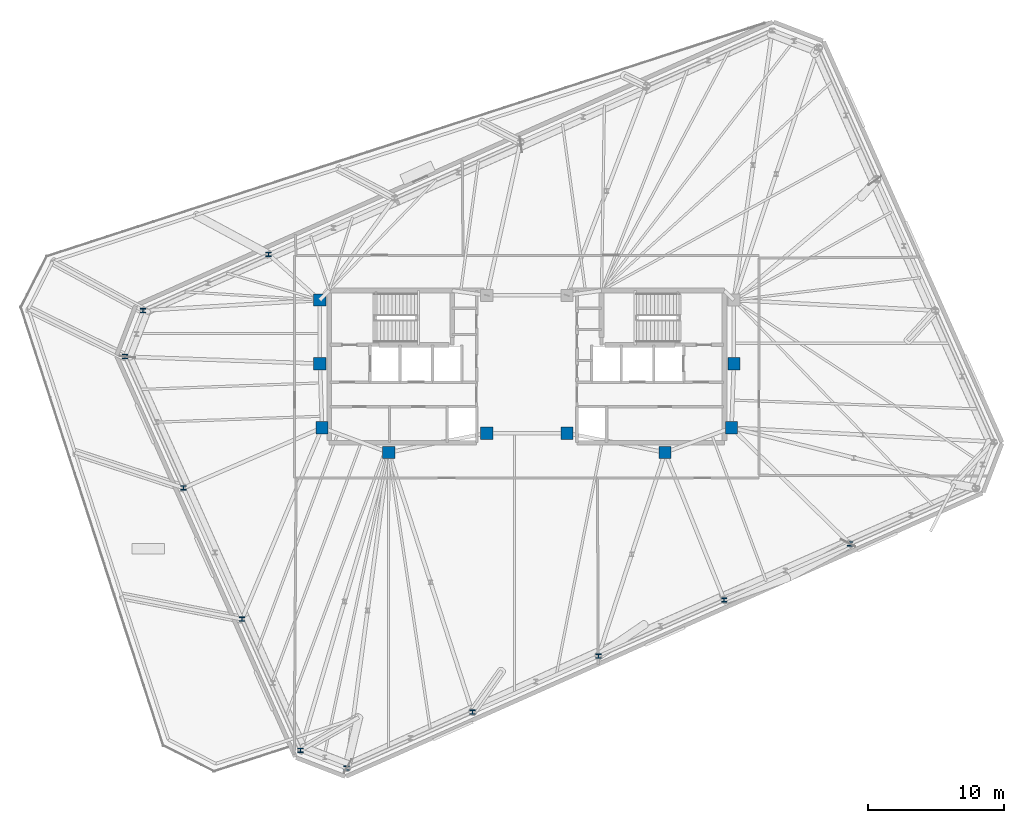
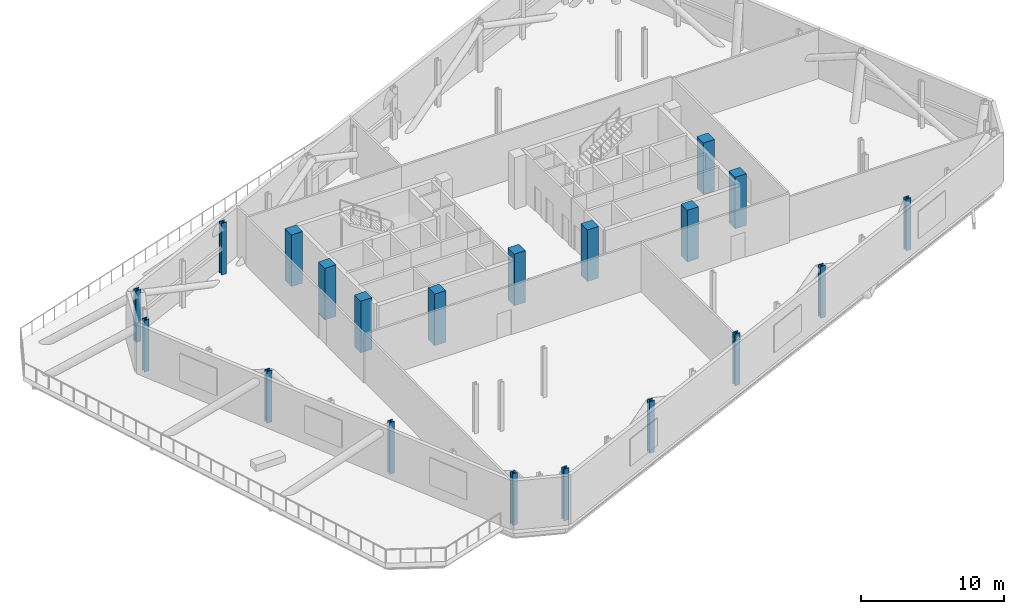
# One storey, part 1 of 15: 20 columns.
"""IFC4 building model written with IfcOpenShell, lengths in metres."""

from ifc_helpers import new_model, si_unit, direction, frame, origin, origin_2d, place, context, subcontext, project, spatial, rectangle, i_section, extrude, material, material_profile, profile_set, type_object, element, save


model = new_model("IFC4")

# Units and contexts
model_context = context("Model", 3, precision=1e-05, world=origin(), true_north=direction((0.0, 1.0)))
body_context = subcontext(model_context, "Body", "Model", "MODEL_VIEW")
ifc_project = project(units=[si_unit("LENGTHUNIT", "METRE"), si_unit("AREAUNIT", "SQUARE_METRE"), si_unit("VOLUMEUNIT", "CUBIC_METRE"), si_unit("PLANEANGLEUNIT", "RADIAN"), si_unit("MASSUNIT", "GRAM", prefix="KILO")], contexts=[model_context])

# Site, building, storey
site_placement = place(None, origin())
site = spatial("IfcSite", under=ifc_project, at=site_placement, CompositionType="ELEMENT")
building_placement = place(site_placement, origin())
building = spatial("IfcBuilding", under=site, at=building_placement, Name="Menara Jurai Vektor", CompositionType="ELEMENT")
storey_placement = place(building_placement, frame((0.0, 0.0, 254.449951171875)))
storey = spatial("IfcBuildingStorey", under=building, at=storey_placement, Name="L68", CompositionType="ELEMENT", Elevation=254.449951171875)

# Columns
ifc_material_1 = material(Name="Concrete C50/60", Category="concrete")
ifc_material_profile_1 = material_profile(ifc_material_1, rectangle(XDim=0.89990234375, YDim=0.89990234375, at=origin_2d()), Name="RC 900x900")
ifc_profile_set_1 = profile_set([ifc_material_profile_1], Name="Concrete C50/60")
column_type_1 = type_object("IfcColumnType", Name="STR-COL-RC900", PredefinedType="COLUMN", material=ifc_profile_set_1)
for number, where, z_axis, x_axis, name in (
    (1, (-15.25, 4.89990234375, 0.0), (0.0, 0.0, 1.0), (1.0, 0.0, 0.0), "Core Spine Column CW-NW L68"),
    (2, (-15.25, 0.219970703125, 0.0), (0.0, 0.0, 1.0), (1.0, 0.0, 0.0), "Core Spine Column CW-WM L68"),
    (3, (-15.080078125, -4.5, 0.0), (0.0, 0.0, 1.0), (1.0, 0.0, 0.0), "Core Spine Column CW-SW L68"),
    (4, (-10.179931640625, -6.320068359375, 0.0), (0.0, 0.0, 1.0), (1.0, 0.0, 0.0), "Core Spine Column CW-SM L68"),
    (5, (-2.949951171875, -4.89990234375, 0.0), (0.0, 0.0, 1.0), (1.0, 0.0, 0.0), "Core Spine Column CW-SE L68"),
    (6, (15.25, 0.219970703125, 0.0), (0.0, 0.0, 1.0), (1.0, 0.0, 0.0), "Core Spine Column CE-EM L68"),
    (7, (15.080078125, -4.5, 0.0), (0.0, 0.0, 1.0), (1.0, 0.0, 0.0), "Core Spine Column CE-SE L68"),
    (8, (10.179931640625, -6.320068359375, 0.0), (0.0, 0.0, 1.0), (1.0, 0.0, 0.0), "Core Spine Column CE-SM L68"),
    (9, (2.949951171875, -4.89990234375, 0.0), (0.0, 0.0, 1.0), (1.0, 0.0, 0.0), "Core Spine Column CE-SW L68"),
):
    element("IfcColumn", number, at=place(storey_placement, frame(where, z_axis=z_axis, x_axis=x_axis)), inside=storey, type_object=column_type_1, Name=name, PredefinedType="COLUMN", context=body_context, shape_type="SweptSolid", body=[
        extrude(rectangle(XDim=0.89990234375, YDim=0.89990234375, at=origin_2d()), origin(), (0.0, 0.0, 1.0), 4.400146484375),
    ])
ifc_material_2 = material(Name="Steel S460", Category="steel")
ifc_material_profile_2 = material_profile(ifc_material_2, i_section(OverallWidth=0.40087890625, OverallDepth=0.3349609375, WebThickness=0.035888671875, FlangeThickness=0.05810546875, FilletRadius=0.014892578125, at=origin_2d()), Name="HD 400x463")
ifc_profile_set_2 = profile_set([ifc_material_profile_2], Name="Steel S460")
column_type_2 = type_object("IfcColumnType", Name="STR-EXO-BLK5", PredefinedType="COLUMN", material=ifc_profile_set_2)
for number, where, z_axis, x_axis, name in (
    (10, (-13.279541015625, -29.576904296875, 0.0), (0.0, 0.0, 1.0), (1.0, 0.0, 0.0), "Exoskeleton Column BLK5-S1 L68"),
    (11, (-4.006103515625, -25.4482421875, 0.0), (0.0, 0.0, 1.0), (1.0, 0.0, 0.0), "Exoskeleton Column BLK5-S2 L68"),
    (12, (5.267578125, -21.3193359375, 0.0), (0.0, 0.0, 1.0), (1.0, 0.0, 0.0), "Exoskeleton Column BLK5-S3 L68"),
    (13, (14.541015625, -17.1904296875, 0.0), (0.0, 0.0, 1.0), (1.0, 0.0, 0.0), "Exoskeleton Column BLK5-S4 L68"),
    (14, (23.814453125, -13.061767578125, 0.0), (0.0, 0.0, 1.0), (1.0, 0.0, 0.0), "Exoskeleton Column BLK5-S5 L68"),
    (15, (-19.0146484375, 8.26171875, 0.0), (0.0, 0.0, 1.0), (1.0, 0.0, 0.0), "Exoskeleton Column BLK5-N5 L68"),
    (16, (-28.2880859375, 4.1328125, 0.0), (0.0, 0.0, 1.0), (1.0, 0.0, 0.0), "Exoskeleton Column BLK5-N6 L68"),
    (17, (-29.591796875, 0.73681640625, 0.0), (0.0, 0.0, 1.0), (1.0, 0.0, 0.0), "Exoskeleton Column BLK5-W1 L68"),
    (18, (-25.286376953125, -8.933349609375, 0.0), (0.0, 0.0, 1.0), (1.0, 0.0, 0.0), "Exoskeleton Column BLK5-W2 L68"),
    (19, (-20.98095703125, -18.603271484375, 0.0), (0.0, 0.0, 1.0), (1.0, 0.0, 0.0), "Exoskeleton Column BLK5-W3 L68"),
    (20, (-16.675537109375, -28.2734375, 0.0), (0.0, 0.0, 1.0), (1.0, 0.0, 0.0), "Exoskeleton Column BLK5-W4 L68"),
):
    element("IfcColumn", number, at=place(storey_placement, frame(where, z_axis=z_axis, x_axis=x_axis)), inside=storey, type_object=column_type_2, Name=name, PredefinedType="COLUMN", context=body_context, shape_type="SweptSolid", body=[
        extrude(i_section(OverallWidth=0.40087890625, OverallDepth=0.3349609375, WebThickness=0.035888671875, FlangeThickness=0.05810546875, FilletRadius=0.014892578125, at=origin_2d()), origin(), (0.0, 0.0, 1.0), 4.400146484375),
    ])

save(model, "model.ifc")
